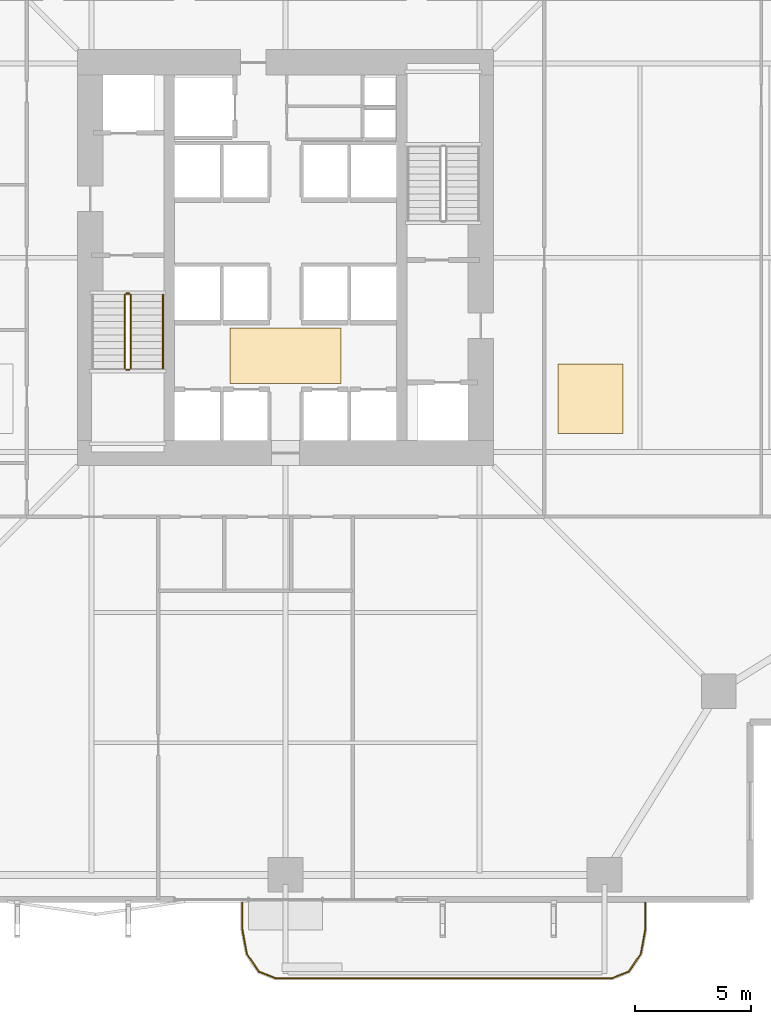
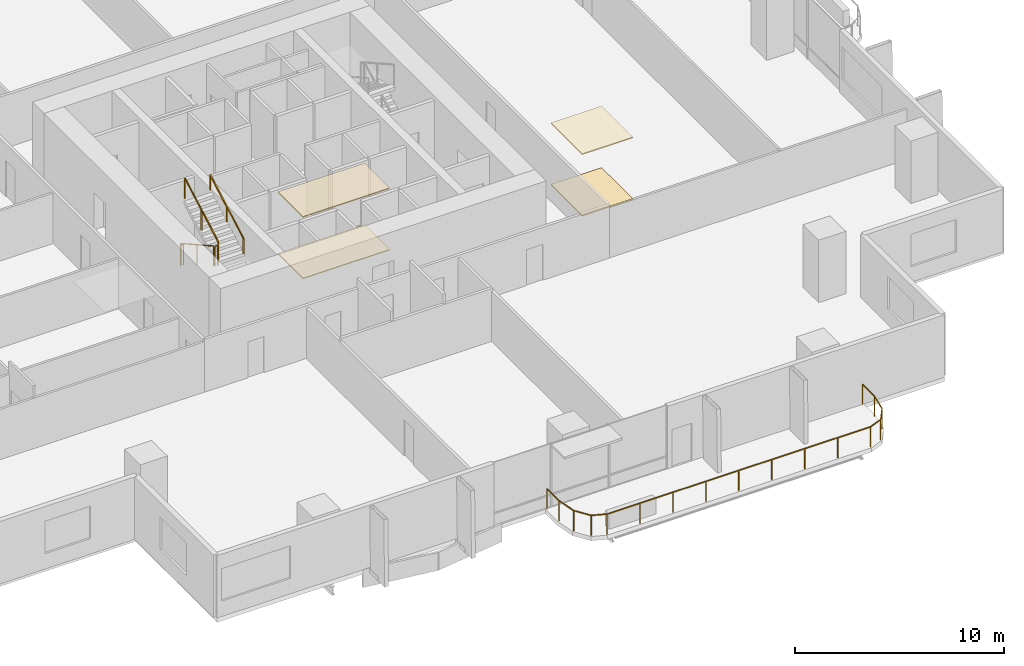
# One storey, part 22 of 24: 6 railings, 4 coverings.
"""IFC4 building model written with IfcOpenShell, lengths in metres."""

from ifc_helpers import new_model, si_unit, direction, frame, origin, origin_2d, place, context, subcontext, project, spatial, polyline, rectangle, outline, extrude, material, layer, layer_set, type_object, element, save


model = new_model("IFC4")

# Units and contexts
model_context = context("Model", 3, precision=1e-05, world=origin(), true_north=direction((0.0, 1.0)))
body_context = subcontext(model_context, "Body", "Model", "MODEL_VIEW")
ifc_project = project(units=[si_unit("LENGTHUNIT", "METRE"), si_unit("AREAUNIT", "SQUARE_METRE"), si_unit("VOLUMEUNIT", "CUBIC_METRE"), si_unit("PLANEANGLEUNIT", "RADIAN"), si_unit("MASSUNIT", "GRAM", prefix="KILO")], contexts=[model_context])

# Site, building, storey
site_placement = place(None, origin())
site = spatial("IfcSite", under=ifc_project, at=site_placement, CompositionType="ELEMENT")
building_placement = place(site_placement, origin())
building = spatial("IfcBuilding", under=site, at=building_placement, Name="Belovzor Exchange Tower", CompositionType="ELEMENT")
storey_placement = place(building_placement, frame((0.0, 0.0, 80.699951171875)))
storey = spatial("IfcBuildingStorey", under=building, at=storey_placement, Name="L19", CompositionType="ELEMENT", Elevation=80.699951171875)

# Railings
ifc_material_1 = material(Name="Stainless Steel Grade 304", Category="steel")
railing_type_1 = type_object("IfcRailingType", Name="Brushed Stainless Steel Stair Handrail 900", PredefinedType="HANDRAIL", material=ifc_material_1)
railing_1_placement = place(storey_placement, frame((23.5, 24.010009765625, 2.112548828125)))
element("IfcRailing", 1, at=railing_1_placement, inside=storey, type_object=railing_type_1, Name="L19 ST-1 stair handrail 2", PredefinedType="HANDRAIL", context=body_context, shape_type="SweptSolid", body=[
    extrude(rectangle(XDim=0.048095703125, YDim=0.048095703125, at=origin_2d()), frame((0.0, 0.0, 0.8759765625), z_axis=(0.0, 0.8723625253, 0.488859514025), x_axis=(-1.0, 0.0, 0.0)), (0.0, 0.0, 1.0), 3.65673828125),
    extrude(rectangle(XDim=0.0419921875, YDim=0.0419921875, at=origin_2d()), origin(), (0.0, 0.0, 1.0), 0.851806640625),
    extrude(rectangle(XDim=0.0419921875, YDim=0.0419921875, at=origin_2d()), frame((0.0, 1.594970703125, 0.893798828125)), (0.0, 0.0, 1.0), 0.851806640625),
    extrude(rectangle(XDim=0.0419921875, YDim=0.0419921875, at=origin_2d()), frame((0.0, 3.18994140625, 1.78759765625)), (0.0, 0.0, 1.0), 0.851806640625),
])
ifc_material_2 = material(Name="Stainless Steel and Laminated Safety Glass", Category="steel")
railing_type_2 = type_object("IfcRailingType", Name="Laminated Glass & Stainless Steel Balcony Balustrade 1200", PredefinedType="BALUSTRADE", material=ifc_material_2)
railing_2_placement = place(storey_placement, frame((26.929931640625, 0.889892578125, 0.0)))
element("IfcRailing", 2, at=railing_2_placement, inside=storey, type_object=railing_type_2, Name="GR-1 Balcony Balustrade L19 South", PredefinedType="BALUSTRADE", context=body_context, shape_type="SweptSolid", body=[
    extrude(rectangle(XDim=0.048095703125, YDim=0.048095703125, at=origin_2d()), frame((0.0, 0.0, 1.17578125), z_axis=(0.0, -1.0, 0.0), x_axis=(1.0, 0.0, 0.0)), (0.0, 0.0, 1.0), 1.1328125),
    extrude(rectangle(XDim=0.048095703125, YDim=0.048095703125, at=origin_2d()), frame((0.0, -1.1328125, 1.17578125), z_axis=(0.180083182347, -0.983651385113, 0.0), x_axis=(0.983651385113, 0.180083182347, 0.0)), (0.0, 0.0, 1.0), 1.093994140625),
    extrude(rectangle(XDim=0.048095703125, YDim=0.048095703125, at=origin_2d()), frame((0.197021484375, -2.208984375, 1.17578125), z_axis=(0.56294695933, -0.826493025367, 0.0), x_axis=(0.826493025367, 0.56294695933, 0.0)), (0.0, 0.0, 1.0), 0.932861328125),
    extrude(rectangle(XDim=0.048095703125, YDim=0.048095703125, at=origin_2d()), frame((0.72216796875, -2.97998046875, 1.17578125), z_axis=(0.930766990125, -0.365612923861, 0.0), x_axis=(0.365612923861, 0.930766990125, 0.0)), (0.0, 0.0, 1.0), 0.765869140625),
    extrude(rectangle(XDim=0.048095703125, YDim=0.048095703125, at=origin_2d()), frame((1.43505859375, -3.260009765625, 1.17578125), z_axis=(1.0, 0.0, 0.0), x_axis=(0.0, 1.0, 0.0)), (0.0, 0.0, 1.0), 14.570068359375),
    extrude(rectangle(XDim=0.048095703125, YDim=0.048095703125, at=origin_2d()), frame((16.005126953125, -3.260009765625, 1.17578125), z_axis=(0.930766990125, 0.365612923861, 0.0), x_axis=(-0.365612923861, 0.930766990125, 0.0)), (0.0, 0.0, 1.0), 0.765869140625),
    extrude(rectangle(XDim=0.048095703125, YDim=0.048095703125, at=origin_2d()), frame((16.718017578125, -2.97998046875, 1.17578125), z_axis=(0.56294695933, 0.826493025367, 0.0), x_axis=(-0.826493025367, 0.56294695933, 0.0)), (0.0, 0.0, 1.0), 0.932861328125),
    extrude(rectangle(XDim=0.048095703125, YDim=0.048095703125, at=origin_2d()), frame((17.2431640625, -2.208984375, 1.17578125), z_axis=(0.180083182347, 0.983651385113, 0.0), x_axis=(-0.983651385113, 0.180083182347, 0.0)), (0.0, 0.0, 1.0), 1.093994140625),
    extrude(rectangle(XDim=0.048095703125, YDim=0.048095703125, at=origin_2d()), frame((17.440185546875, -1.1328125, 1.17578125), z_axis=(0.0, 1.0, 0.0), x_axis=(-1.0, 0.0, 0.0)), (0.0, 0.0, 1.0), 1.1328125),
    extrude(rectangle(XDim=0.0419921875, YDim=0.0419921875, at=origin_2d()), origin(), (0.0, 0.0, 1.0), 1.15185546875),
    extrude(rectangle(XDim=0.0419921875, YDim=0.0419921875, at=origin_2d()), frame((0.0, -1.1328125, 0.0)), (0.0, 0.0, 1.0), 1.15185546875),
    extrude(rectangle(XDim=0.0419921875, YDim=0.0419921875, at=origin_2d()), frame((0.197021484375, -2.208984375, 0.0)), (0.0, 0.0, 1.0), 1.15185546875),
    extrude(rectangle(XDim=0.0419921875, YDim=0.0419921875, at=origin_2d()), frame((0.72216796875, -2.97998046875, 0.0)), (0.0, 0.0, 1.0), 1.15185546875),
    extrude(rectangle(XDim=0.0419921875, YDim=0.0419921875, at=origin_2d()), frame((1.43505859375, -3.260009765625, 0.0)), (0.0, 0.0, 1.0), 1.15185546875),
    extrude(rectangle(XDim=0.0419921875, YDim=0.0419921875, at=origin_2d()), frame((3.25634765625, -3.260009765625, 0.0)), (0.0, 0.0, 1.0), 1.15185546875),
    extrude(rectangle(XDim=0.0419921875, YDim=0.0419921875, at=origin_2d()), frame((5.07763671875, -3.260009765625, 0.0)), (0.0, 0.0, 1.0), 1.15185546875),
    extrude(rectangle(XDim=0.0419921875, YDim=0.0419921875, at=origin_2d()), frame((6.89892578125, -3.260009765625, 0.0)), (0.0, 0.0, 1.0), 1.15185546875),
    extrude(rectangle(XDim=0.0419921875, YDim=0.0419921875, at=origin_2d()), frame((8.72021484375, -3.260009765625, 0.0)), (0.0, 0.0, 1.0), 1.15185546875),
    extrude(rectangle(XDim=0.0419921875, YDim=0.0419921875, at=origin_2d()), frame((10.541259765625, -3.260009765625, 0.0)), (0.0, 0.0, 1.0), 1.15185546875),
    extrude(rectangle(XDim=0.0419921875, YDim=0.0419921875, at=origin_2d()), frame((12.362548828125, -3.260009765625, 0.0)), (0.0, 0.0, 1.0), 1.15185546875),
    extrude(rectangle(XDim=0.0419921875, YDim=0.0419921875, at=origin_2d()), frame((14.183837890625, -3.260009765625, 0.0)), (0.0, 0.0, 1.0), 1.15185546875),
    extrude(rectangle(XDim=0.0419921875, YDim=0.0419921875, at=origin_2d()), frame((16.005126953125, -3.260009765625, 0.0)), (0.0, 0.0, 1.0), 1.15185546875),
    extrude(rectangle(XDim=0.0419921875, YDim=0.0419921875, at=origin_2d()), frame((16.718017578125, -2.97998046875, 0.0)), (0.0, 0.0, 1.0), 1.15185546875),
    extrude(rectangle(XDim=0.0419921875, YDim=0.0419921875, at=origin_2d()), frame((17.2431640625, -2.208984375, 0.0)), (0.0, 0.0, 1.0), 1.15185546875),
    extrude(rectangle(XDim=0.0419921875, YDim=0.0419921875, at=origin_2d()), frame((17.440185546875, -1.1328125, 0.0)), (0.0, 0.0, 1.0), 1.15185546875),
    extrude(rectangle(XDim=0.0419921875, YDim=0.0419921875, at=origin_2d()), frame((17.440185546875, 0.0, 0.0)), (0.0, 0.0, 1.0), 1.15185546875),
])
ifc_material_3 = material(Name="Steel S355", Category="steel")
railing_type_3 = type_object("IfcRailingType", Name="Painted Steel Stairwell Guardrail 1200", PredefinedType="GUARDRAIL", material=ifc_material_3)
railing_3_placement = place(storey_placement, frame((21.85009765625, 27.199951171875, 0.16259765625)))
element("IfcRailing", 3, at=railing_3_placement, inside=storey, type_object=railing_type_3, Name="L19 ST-1 stair guard 1", PredefinedType="GUARDRAIL", context=body_context, shape_type="SweptSolid", body=[
    extrude(rectangle(XDim=0.048095703125, YDim=0.048095703125, at=origin_2d()), frame((0.0, 0.0, 1.17578125), z_axis=(0.0, -0.872390997893, 0.488808701636), x_axis=(1.0, 0.0, 0.0)), (0.0, 0.0, 1.0), 3.656494140625),
    extrude(rectangle(XDim=0.0419921875, YDim=0.0419921875, at=origin_2d()), origin(), (0.0, 0.0, 1.0), 1.15185546875),
    extrude(rectangle(XDim=0.0419921875, YDim=0.0419921875, at=origin_2d()), frame((0.0, -1.594970703125, 0.8935546875)), (0.0, 0.0, 1.0), 1.15185546875),
    extrude(rectangle(XDim=0.0419921875, YDim=0.0419921875, at=origin_2d()), frame((0.0, -3.18994140625, 1.787353515625)), (0.0, 0.0, 1.0), 1.15185546875),
])
railing_4_placement = place(storey_placement, frame((21.89990234375, 23.9599609375, 1.949951171875)))
element("IfcRailing", 4, at=railing_4_placement, inside=storey, type_object=railing_type_3, Name="L19 ST-1 stair guard 2", PredefinedType="GUARDRAIL", context=body_context, shape_type="SweptSolid", body=[
    extrude(rectangle(XDim=0.048095703125, YDim=0.048095703125, at=origin_2d()), frame((0.0, 0.0, 1.17578125), z_axis=(1.0, 0.0, 0.0), x_axis=(0.0, 1.0, 0.0)), (0.0, 0.0, 1.0), 0.150146484375),
    extrude(rectangle(XDim=0.0419921875, YDim=0.0419921875, at=origin_2d()), origin(), (0.0, 0.0, 1.0), 1.15185546875),
    extrude(rectangle(XDim=0.0419921875, YDim=0.0419921875, at=origin_2d()), frame((0.150146484375, 0.0, 0.0)), (0.0, 0.0, 1.0), 1.15185546875),
])
railing_5_placement = place(storey_placement, frame((22.10009765625, 24.010009765625, 2.112548828125)))
element("IfcRailing", 5, at=railing_5_placement, inside=storey, type_object=railing_type_3, Name="L19 ST-1 stair guard 3", PredefinedType="GUARDRAIL", context=body_context, shape_type="SweptSolid", body=[
    extrude(rectangle(XDim=0.048095703125, YDim=0.048095703125, at=origin_2d()), frame((0.0, 0.0, 1.17578125), z_axis=(0.0, 0.8723625253, 0.488859514025), x_axis=(-1.0, 0.0, 0.0)), (0.0, 0.0, 1.0), 3.65673828125),
    extrude(rectangle(XDim=0.0419921875, YDim=0.0419921875, at=origin_2d()), origin(), (0.0, 0.0, 1.0), 1.15185546875),
    extrude(rectangle(XDim=0.0419921875, YDim=0.0419921875, at=origin_2d()), frame((0.0, 1.594970703125, 0.893798828125)), (0.0, 0.0, 1.0), 1.15185546875),
    extrude(rectangle(XDim=0.0419921875, YDim=0.0419921875, at=origin_2d()), frame((0.0, 3.18994140625, 1.78759765625)), (0.0, 0.0, 1.0), 1.15185546875),
])
railing_6_placement = place(storey_placement, frame((21.89990234375, 27.25, 0.0)))
element("IfcRailing", 6, at=railing_6_placement, inside=storey, type_object=railing_type_3, Name="L19 ST-1 stair guard 4", PredefinedType="GUARDRAIL", context=body_context, shape_type="SweptSolid", body=[
    extrude(rectangle(XDim=0.048095703125, YDim=0.048095703125, at=origin_2d()), frame((0.0, 0.0, 1.17578125), z_axis=(1.0, 0.0, 0.0), x_axis=(0.0, 1.0, 0.0)), (0.0, 0.0, 1.0), 0.150146484375),
    extrude(rectangle(XDim=0.0419921875, YDim=0.0419921875, at=origin_2d()), origin(), (0.0, 0.0, 1.0), 1.15185546875),
    extrude(rectangle(XDim=0.0419921875, YDim=0.0419921875, at=origin_2d()), frame((0.150146484375, 0.0, 0.0)), (0.0, 0.0, 1.0), 1.15185546875),
])

# Coverings
ifc_material_4 = material(Name="Perforated Powder-Coated Aluminium", Category="aluminium")
ifc_layer_1 = layer(ifc_material_4, 0.06005859375)
ifc_layer_set_1 = layer_set([ifc_layer_1], Name="Perforated Powder-Coated Aluminium")
covering_type_1 = type_object("IfcCoveringType", Name="Perforated Acoustic Metal Tile Suspended Ceiling 60", PredefinedType="CEILING", material=ifc_layer_set_1)
covering_1_placement = place(storey_placement, frame((0.0, 0.0, 3.590087890625)))
element("IfcCovering", 7, at=covering_1_placement, inside=storey, type_object=covering_type_1, Name="CLG-AC60 Suspended Ceiling CLG-L19-LOB", PredefinedType="CEILING", context=body_context, shape_type="SweptSolid", body=[
    extrude(outline(polyline([(26.39990234375, 23.35009765625), (31.199951171875, 23.35009765625), (31.199951171875, 25.75), (26.39990234375, 25.75), (26.39990234375, 23.35009765625)])), origin(), (0.0, 0.0, 1.0), 0.06005859375),
])
covering_2_placement = place(storey_placement, frame((0.0, 0.0, 3.590087890625)))
element("IfcCovering", 8, at=covering_2_placement, inside=storey, type_object=covering_type_1, Name="CLG-AC60 Suspended Ceiling CLG-L19-Z0", PredefinedType="CEILING", context=body_context, shape_type="SweptSolid", body=[
    extrude(outline(polyline([(40.60009765625, 21.199951171875), (43.39990234375, 21.199951171875), (43.39990234375, 24.199951171875), (40.60009765625, 24.199951171875), (40.60009765625, 21.199951171875)])), origin(), (0.0, 0.0, 1.0), 0.06005859375),
])
ifc_material_5 = material(Name="Polished Natural Granite Tile", Category="masonry")
ifc_layer_2 = layer(ifc_material_5, 0.050048828125)
ifc_layer_set_2 = layer_set([ifc_layer_2], Name="Polished Natural Granite Tile")
covering_type_2 = type_object("IfcCoveringType", Name="Polished Karelian Granite & Raised Access Floor Finish 50", PredefinedType="FLOORING", material=ifc_layer_set_2)
covering_3_placement = place(storey_placement, origin())
element("IfcCovering", 9, at=covering_3_placement, inside=storey, type_object=covering_type_2, Name="FLR-GR50 Floor Finish FLR-L19-LOB", PredefinedType="FLOORING", context=body_context, shape_type="SweptSolid", body=[
    extrude(outline(polyline([(26.39990234375, 23.35009765625), (31.199951171875, 23.35009765625), (31.199951171875, 25.75), (26.39990234375, 25.75), (26.39990234375, 23.35009765625)])), origin(), (0.0, 0.0, 1.0), 0.050048828125),
])
covering_4_placement = place(storey_placement, origin())
element("IfcCovering", 10, at=covering_4_placement, inside=storey, type_object=covering_type_2, Name="FLR-GR50 Floor Finish FLR-L19-Z0", PredefinedType="FLOORING", context=body_context, shape_type="SweptSolid", body=[
    extrude(outline(polyline([(40.60009765625, 21.199951171875), (43.39990234375, 21.199951171875), (43.39990234375, 24.199951171875), (40.60009765625, 24.199951171875), (40.60009765625, 21.199951171875)])), origin(), (0.0, 0.0, 1.0), 0.050048828125),
])

save(model, "model.ifc")
